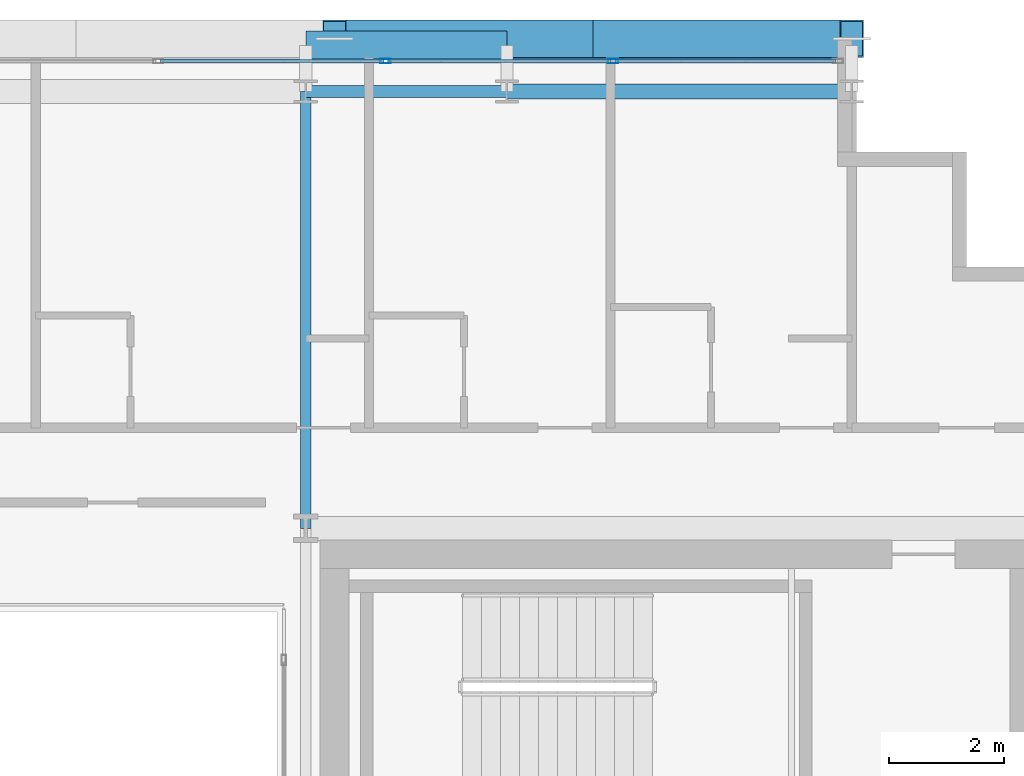
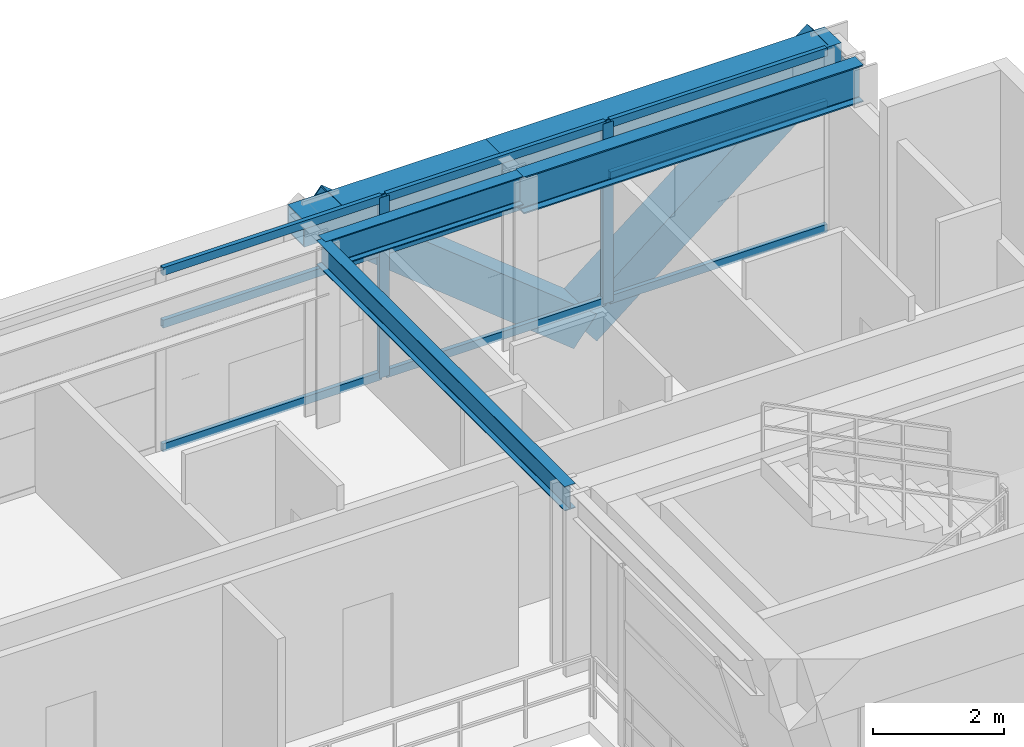
# One storey, part 22 of 37: 13 members, 5 beams, 1 element without a shape of its own.
"""IFC4 building model written with IfcOpenShell, lengths in metres."""

from ifc_helpers import new_model, si_unit, direction, frame, origin, origin_2d, place, context, subcontext, project, spatial, hollow_rectangle, i_section, extrude, source, transform, mapped, material, layer, layer_set, material_profile, profile_set, type_object, element, aggregate, save


model = new_model("IFC4")

# Units and contexts
model_context = context("Model", 3, precision=1e-05, world=origin(), true_north=direction((0.0, 1.0)))
body_context = subcontext(model_context, "Body", "Model", "MODEL_VIEW")
ifc_project = project(units=[si_unit("LENGTHUNIT", "METRE"), si_unit("AREAUNIT", "SQUARE_METRE"), si_unit("VOLUMEUNIT", "CUBIC_METRE"), si_unit("PLANEANGLEUNIT", "RADIAN"), si_unit("MASSUNIT", "GRAM", prefix="KILO")], contexts=[model_context])

# Site, building, storey
site_placement = place(None, origin())
site = spatial("IfcSite", under=ifc_project, at=site_placement, CompositionType="ELEMENT")
building_placement = place(site_placement, origin())
building = spatial("IfcBuilding", under=site, at=building_placement, Name="Ocotamira Hotel", CompositionType="ELEMENT")
storey_placement = place(building_placement, frame((0.0, 0.0, 192.0)))
storey = spatial("IfcBuildingStorey", under=building, at=storey_placement, Name="L48", CompositionType="ELEMENT", Elevation=192.0)

# Beams
ifc_material_1 = material(Name="Steel ASTM A992 Grade 50", Category="steel")
ifc_material_profile_1 = material_profile(ifc_material_1, i_section(OverallWidth=0.256103515625, OverallDepth=0.693115234375, WebThickness=0.014404296875, FlangeThickness=0.023681640625, FilletRadius=0.01611328125, at=origin_2d()), Name="W27X114")
ifc_profile_set_1 = profile_set([ifc_material_profile_1], Name="Steel ASTM A992 Grade 50")
beam_type_1 = type_object("IfcBeamType", Name="BM-PRIM-W27X114", PredefinedType="BEAM", material=ifc_profile_set_1)
shared_shape_1 = source(origin(), body_context, "Body", "SweptSolid", [
    extrude(i_section(OverallWidth=0.256103515625, OverallDepth=0.693115234375, WebThickness=0.014404296875, FlangeThickness=0.023681640625, FilletRadius=0.01611328125, at=origin_2d()), origin(), (0.0, 0.0, 1.0), 6.0),
])
beam_1_placement = place(storey_placement, frame((44.0, 45.050048828125, 3.0234375), z_axis=(1.0, 0.0, 0.0), x_axis=(0.0, 1.0, 0.0)))
element("IfcBeam", 1, at=beam_1_placement, inside=storey, type_object=beam_type_1, Name="L48 Girder Y45.05 X44-50", PredefinedType="BEAM", context=body_context, shape_type="MappedRepresentation", body=[
    mapped(shared_shape_1, transform((0.0, 0.0, 0.0), scale=1.0)),
])
ifc_material_profile_2 = material_profile(ifc_material_1, i_section(OverallWidth=0.2099609375, OverallDepth=0.537109375, WebThickness=0.010986328125, FlangeThickness=0.017333984375, FilletRadius=0.012939453125, at=origin_2d()), Name="W21X68")
ifc_profile_set_2 = profile_set([ifc_material_profile_2], Name="Steel ASTM A992 Grade 50")
beam_type_2 = type_object("IfcBeamType", Name="BM-SEC-W21X68", PredefinedType="JOIST", material=ifc_profile_set_2)
shared_shape_2 = source(origin(), body_context, "Body", "SweptSolid", [
    extrude(i_section(OverallWidth=0.2099609375, OverallDepth=0.537109375, WebThickness=0.010986328125, FlangeThickness=0.017333984375, FilletRadius=0.012939453125, at=origin_2d()), origin(), (0.0, 0.0, 1.0), 3.5),
])
beam_2_placement = place(storey_placement, frame((40.5, 45.050048828125, 3.1015625), z_axis=(1.0, 0.0, 0.0), x_axis=(0.0, 1.0, 0.0)))
element("IfcBeam", 2, at=beam_2_placement, inside=storey, type_object=beam_type_2, Name="L48 Girder Y45.05 X40.5-44", PredefinedType="JOIST", context=body_context, shape_type="MappedRepresentation", body=[
    mapped(shared_shape_2, transform((0.0, 0.0, 0.0), scale=1.0)),
])
ifc_material_2 = material(Name="Steel ASTM A500 Grade C", Category="steel")
ifc_material_profile_3 = material_profile(ifc_material_2, hollow_rectangle(XDim=0.5, YDim=0.5, WallThickness=0.02001953125, at=origin_2d()), Name="HSS500X500X20")
ifc_profile_set_3 = profile_set([ifc_material_profile_3], Name="Steel ASTM A500 Grade C")
beam_type_3 = type_object("IfcBeamType", Name="BM-SPAN-HSS500", PredefinedType="USERDEFINED", material=ifc_profile_set_3)
shared_shape_3 = source(origin(), body_context, "Body", "SweptSolid", [
    extrude(hollow_rectangle(XDim=0.5, YDim=0.5, WallThickness=0.02001953125, at=origin_2d()), origin(), (0.0, 0.0, 1.0), 6.0),
])
beam_3_placement = place(storey_placement, frame((44.0, 45.85009765625, 3.1201171875), z_axis=(1.0, 0.0, 0.0), x_axis=(0.0, 1.0, 0.0)))
element("IfcBeam", 3, at=beam_3_placement, inside=storey, type_object=beam_type_3, Name="L48 Edge Spandrel N X44-50", ObjectType="SPANDREL", PredefinedType="USERDEFINED", context=body_context, shape_type="MappedRepresentation", body=[
    mapped(shared_shape_3, transform((0.0, 0.0, 0.0), scale=1.0)),
])
shared_shape_4 = source(origin(), body_context, "Body", "SweptSolid", [
    extrude(hollow_rectangle(XDim=0.5, YDim=0.5, WallThickness=0.02001953125, at=origin_2d()), origin(), (0.0, 0.0, 1.0), 3.5),
])
beam_4_placement = place(storey_placement, frame((40.5, 45.85009765625, 3.1201171875), z_axis=(1.0, 0.0, 0.0), x_axis=(0.0, 1.0, 0.0)))
element("IfcBeam", 4, at=beam_4_placement, inside=storey, type_object=beam_type_3, Name="L48 Edge Spandrel N X40.5-44", ObjectType="SPANDREL", PredefinedType="USERDEFINED", context=body_context, shape_type="MappedRepresentation", body=[
    mapped(shared_shape_4, transform((0.0, 0.0, 0.0), scale=1.0)),
])
ifc_material_profile_4 = material_profile(ifc_material_1, i_section(OverallWidth=0.18994140625, OverallDepth=0.45703125, WebThickness=0.009033203125, FlangeThickness=0.014404296875, FilletRadius=0.010009765625, at=origin_2d()), Name="W18X50")
ifc_profile_set_4 = profile_set([ifc_material_profile_4], Name="Steel ASTM A992 Grade 50")
beam_type_4 = type_object("IfcBeamType", Name="BM-SEC-W18X50", PredefinedType="JOIST", material=ifc_profile_set_4)
shared_shape_5 = source(origin(), body_context, "Body", "SweptSolid", [
    extrude(i_section(OverallWidth=0.18994140625, OverallDepth=0.45703125, WebThickness=0.009033203125, FlangeThickness=0.014404296875, FilletRadius=0.010009765625, at=origin_2d()), origin(), (0.0, 0.0, 1.0), 7.60009765625),
])
beam_5_placement = place(storey_placement, frame((40.5, 37.449951171875, 3.1416015625), z_axis=(0.0, 1.0, 0.0), x_axis=(-1.0, 0.0, 0.0)))
element("IfcBeam", 5, at=beam_5_placement, inside=storey, type_object=beam_type_4, Name="L48 Beam X40.5 Y37.45-45.05", PredefinedType="JOIST", context=body_context, shape_type="MappedRepresentation", body=[
    mapped(shared_shape_5, transform((0.0, 0.0, 0.0), scale=1.0)),
])

# Members
ifc_material_3 = material(Name="Pale-metal coated steel ASTM A913 Grade 65", Category="steel")
ifc_material_profile_5 = material_profile(ifc_material_3, hollow_rectangle(XDim=0.64990234375, YDim=0.64990234375, WallThickness=0.02197265625, at=origin_2d()), Name="BOX650X650X22")
ifc_profile_set_5 = profile_set([ifc_material_profile_5], Name="Pale-metal coated steel ASTM A913 Grade 65")
member_type_1 = type_object("IfcMemberType", Name="MEM-EXO-BOX650", PredefinedType="BRACE", material=ifc_profile_set_5)
shared_shape_6 = source(origin(), body_context, "Body", "SweptSolid", [
    extrude(hollow_rectangle(XDim=0.64990234375, YDim=0.64990234375, WallThickness=0.02197265625, at=origin_2d()), origin(), (0.0, 0.0, 1.0), 5.762939453125),
])
for number, where, z_axis, x_axis, name in (
    (6, (45.5, 45.969970703125, -0.47998046875), (-0.780860543151, 0.0, 0.624705380279), (0.0, -1.0, 0.0), "L48 Exoskeleton Diagrid N3.1"),
    (7, (45.5, 45.969970703125, -0.47998046875), (0.780860543151, 0.0, 0.624705380279), (0.0, 1.0, 0.0), "L48 Exoskeleton Diagrid N3.2"),
):
    element("IfcMember", number, at=place(storey_placement, frame(where, z_axis=z_axis, x_axis=x_axis)), inside=storey, type_object=member_type_1, Name=name, PredefinedType="BRACE", context=body_context, shape_type="MappedRepresentation", body=[
        mapped(shared_shape_6, transform((0.0, 0.0, 0.0), scale=1.0)),
    ])

# Curtain wall, members
ifc_material_4 = material(Name="Anodised pale-metal aluminium and solar glass", Category="aluminium")
ifc_layer = layer(ifc_material_4, 0.199951171875)
ifc_layer_set = layer_set([ifc_layer], Name="Anodised pale-metal aluminium and solar glass")
curtain_wall_type = type_object("IfcCurtainWallType", Name="CW-SYS4-Z3", PredefinedType="NOTDEFINED", material=ifc_layer_set)
curtain_wall_placement = place(storey_placement, origin())
curtain_wall = element("IfcCurtainWall", 8, at=curtain_wall_placement, inside=storey, type_object=curtain_wall_type, Name="L48 Curtain Wall CW-4 CW-L48-N", PredefinedType="NOTDEFINED")
ifc_material_5 = material(Name="Anodised pale-metal aluminium 6063-T6", Category="aluminium")
ifc_material_profile_6 = material_profile(ifc_material_5, hollow_rectangle(XDim=0.074951171875, YDim=0.14990234375, WallThickness=0.006103515625, at=origin_2d()), Name="HSS150X75X6")
ifc_profile_set_6 = profile_set([ifc_material_profile_6], Name="Anodised pale-metal aluminium 6063-T6")
member_type_2 = type_object("IfcMemberType", Name="CWT-150X75", PredefinedType="USERDEFINED", material=ifc_profile_set_6)
shared_shape_7 = source(origin(), body_context, "Body", "SweptSolid", [
    extrude(hollow_rectangle(XDim=0.074951171875, YDim=0.14990234375, WallThickness=0.006103515625, at=origin_2d()), origin(), (0.0, 0.0, 1.0), 3.83544921875),
])
member_1_placement = place(storey_placement, frame((45.884521484375, 45.580078125, 0.03759765625), z_axis=(1.0, 0.0, 0.0), x_axis=(0.0, 1.0, 0.0)))
member_1 = element("IfcMember", 9, at=member_1_placement, type_object=member_type_2, Name="CW-4 transom 9.1", ObjectType="TRANSOM", PredefinedType="USERDEFINED", context=body_context, shape_type="MappedRepresentation", body=[
    mapped(shared_shape_7, transform((0.0, 0.0, 0.0), scale=1.0)),
])
member_2_placement = place(storey_placement, frame((45.884521484375, 45.580078125, 2.35009765625), z_axis=(1.0, 0.0, 0.0), x_axis=(0.0, 1.0, 0.0)))
member_2 = element("IfcMember", 10, at=member_2_placement, type_object=member_type_2, Name="CW-4 transom 9.2", ObjectType="TRANSOM", PredefinedType="USERDEFINED", context=body_context, shape_type="MappedRepresentation", body=[
    mapped(shared_shape_7, transform((0.0, 0.0, 0.0), scale=1.0)),
])
member_3_placement = place(storey_placement, frame((45.884521484375, 45.580078125, 3.33251953125), z_axis=(1.0, 0.0, 0.0), x_axis=(0.0, 1.0, 0.0)))
member_3 = element("IfcMember", 11, at=member_3_placement, type_object=member_type_2, Name="CW-4 transom 9.3", ObjectType="TRANSOM", PredefinedType="USERDEFINED", context=body_context, shape_type="MappedRepresentation", body=[
    mapped(shared_shape_7, transform((0.0, 0.0, 0.0), scale=1.0)),
])
shared_shape_8 = source(origin(), body_context, "Body", "SweptSolid", [
    extrude(hollow_rectangle(XDim=0.074951171875, YDim=0.14990234375, WallThickness=0.006103515625, at=origin_2d()), origin(), (0.0, 0.0, 1.0), 3.87548828125),
])
member_4_placement = place(storey_placement, frame((37.973388671875, 45.580078125, 0.03759765625), z_axis=(1.0, 0.0, 0.0), x_axis=(0.0, 1.0, 0.0)))
member_4 = element("IfcMember", 12, at=member_4_placement, type_object=member_type_2, Name="CW-4 transom 7.1", ObjectType="TRANSOM", PredefinedType="USERDEFINED", context=body_context, shape_type="MappedRepresentation", body=[
    mapped(shared_shape_8, transform((0.0, 0.0, 0.0), scale=1.0)),
])
member_5_placement = place(storey_placement, frame((37.973388671875, 45.580078125, 2.35009765625), z_axis=(1.0, 0.0, 0.0), x_axis=(0.0, 1.0, 0.0)))
member_5 = element("IfcMember", 13, at=member_5_placement, type_object=member_type_2, Name="CW-4 transom 7.2", ObjectType="TRANSOM", PredefinedType="USERDEFINED", context=body_context, shape_type="MappedRepresentation", body=[
    mapped(shared_shape_8, transform((0.0, 0.0, 0.0), scale=1.0)),
])
member_6_placement = place(storey_placement, frame((37.973388671875, 45.580078125, 3.33251953125), z_axis=(1.0, 0.0, 0.0), x_axis=(0.0, 1.0, 0.0)))
member_6 = element("IfcMember", 14, at=member_6_placement, type_object=member_type_2, Name="CW-4 transom 7.3", ObjectType="TRANSOM", PredefinedType="USERDEFINED", context=body_context, shape_type="MappedRepresentation", body=[
    mapped(shared_shape_8, transform((0.0, 0.0, 0.0), scale=1.0)),
])
member_7_placement = place(storey_placement, frame((41.928955078125, 45.580078125, 0.03759765625), z_axis=(1.0, 0.0, 0.0), x_axis=(0.0, 1.0, 0.0)))
member_7 = element("IfcMember", 15, at=member_7_placement, type_object=member_type_2, Name="CW-4 transom 8.1", ObjectType="TRANSOM", PredefinedType="USERDEFINED", context=body_context, shape_type="MappedRepresentation", body=[
    mapped(shared_shape_8, transform((0.0, 0.0, 0.0), scale=1.0)),
])
member_8_placement = place(storey_placement, frame((41.928955078125, 45.580078125, 2.35009765625), z_axis=(1.0, 0.0, 0.0), x_axis=(0.0, 1.0, 0.0)))
member_8 = element("IfcMember", 16, at=member_8_placement, type_object=member_type_2, Name="CW-4 transom 8.2", ObjectType="TRANSOM", PredefinedType="USERDEFINED", context=body_context, shape_type="MappedRepresentation", body=[
    mapped(shared_shape_8, transform((0.0, 0.0, 0.0), scale=1.0)),
])
member_9_placement = place(storey_placement, frame((41.928955078125, 45.580078125, 3.33251953125), z_axis=(1.0, 0.0, 0.0), x_axis=(0.0, 1.0, 0.0)))
member_9 = element("IfcMember", 17, at=member_9_placement, type_object=member_type_2, Name="CW-4 transom 8.3", ObjectType="TRANSOM", PredefinedType="USERDEFINED", context=body_context, shape_type="MappedRepresentation", body=[
    mapped(shared_shape_8, transform((0.0, 0.0, 0.0), scale=1.0)),
])
ifc_material_profile_7 = material_profile(ifc_material_5, hollow_rectangle(XDim=0.080078125, YDim=0.179931640625, WallThickness=0.006103515625, at=origin_2d()), Name="HSS180X80X6")
ifc_profile_set_7 = profile_set([ifc_material_profile_7], Name="Anodised pale-metal aluminium 6063-T6")
member_type_3 = type_object("IfcMemberType", Name="CWM-180X75", PredefinedType="MULLION", material=ifc_profile_set_7)
shared_shape_9 = source(origin(), body_context, "Body", "SweptSolid", [
    extrude(hollow_rectangle(XDim=0.080078125, YDim=0.179931640625, WallThickness=0.006103515625, at=origin_2d()), origin(), (0.0, 0.0, 1.0), 3.3701171875),
])
member_10_placement = place(storey_placement, frame((41.888916015625, 45.580078125, 0.0), z_axis=(0.0, 0.0, 1.0), x_axis=(0.0, 1.0, 0.0)))
member_10 = element("IfcMember", 18, at=member_10_placement, type_object=member_type_3, Name="CW-4 mullion 8", PredefinedType="MULLION", context=body_context, shape_type="MappedRepresentation", body=[
    mapped(shared_shape_9, transform((0.0, 0.0, 0.0), scale=1.0)),
])
member_11_placement = place(storey_placement, frame((45.844482421875, 45.580078125, 0.0), z_axis=(0.0, 0.0, 1.0), x_axis=(0.0, 1.0, 0.0)))
member_11 = element("IfcMember", 19, at=member_11_placement, type_object=member_type_3, Name="CW-4 mullion 9", PredefinedType="MULLION", context=body_context, shape_type="MappedRepresentation", body=[
    mapped(shared_shape_9, transform((0.0, 0.0, 0.0), scale=1.0)),
])
aggregate(curtain_wall, [member_10, member_11, member_4, member_5, member_6, member_7, member_8, member_9, member_1, member_2, member_3])

save(model, "model.ifc")
